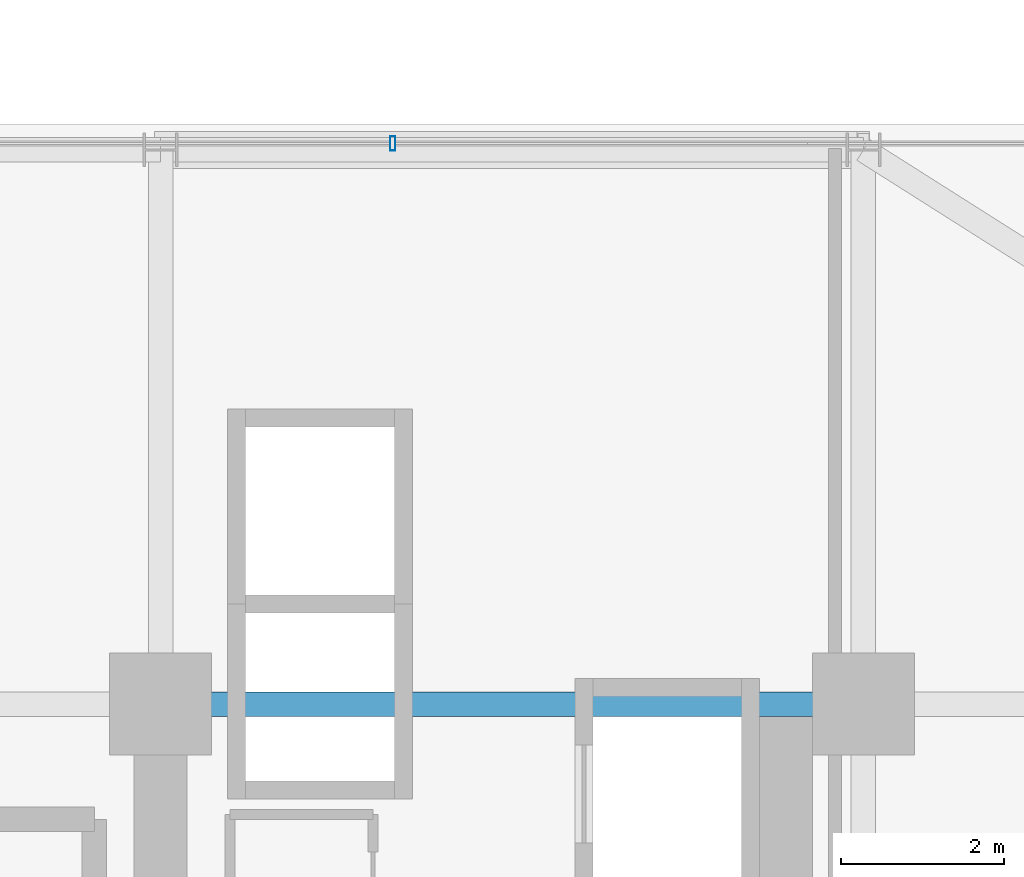
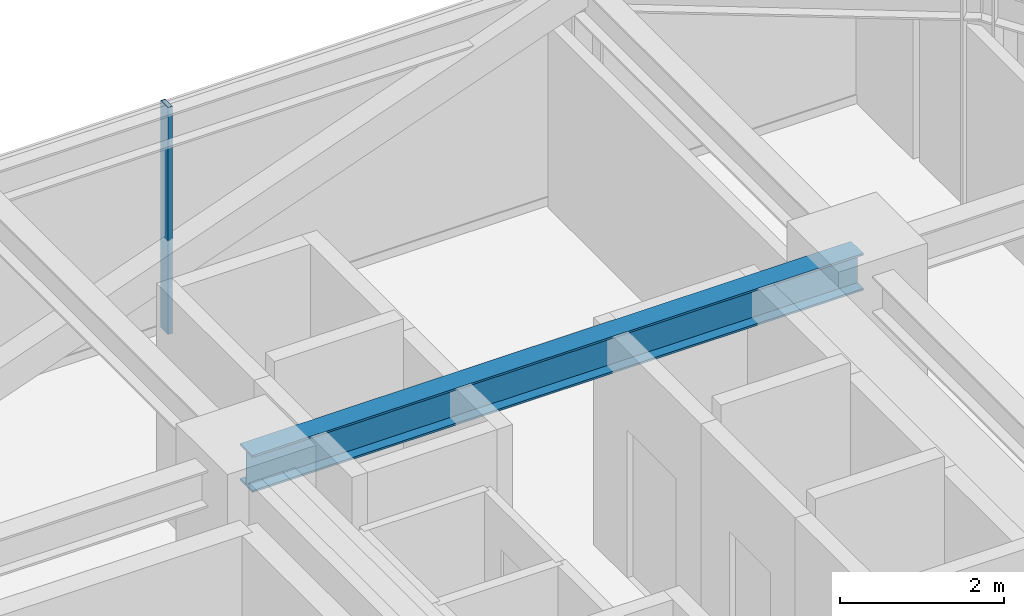
# One storey, part 23 of 35: 1 beam, 1 member, 1 element without a shape of its own.
"""IFC4 building model written with IfcOpenShell, lengths in metres."""

from ifc_helpers import new_model, si_unit, direction, frame, origin, origin_2d, place, context, subcontext, project, spatial, hollow_rectangle, i_section, extrude, source, transform, mapped, material, material_profile, profile_set, type_object, element, aggregate, save


model = new_model("IFC4")

# Units and contexts
model_context = context("Model", 3, precision=1e-05, world=origin(), true_north=direction((0.0, 1.0)))
body_context = subcontext(model_context, "Body", "Model", "MODEL_VIEW")
ifc_project = project(units=[si_unit("LENGTHUNIT", "METRE"), si_unit("AREAUNIT", "SQUARE_METRE"), si_unit("VOLUMEUNIT", "CUBIC_METRE"), si_unit("PLANEANGLEUNIT", "RADIAN"), si_unit("MASSUNIT", "GRAM", prefix="KILO")], contexts=[model_context])

# Site, building, storey
site_placement = place(None, origin())
site = spatial("IfcSite", under=ifc_project, at=site_placement, CompositionType="ELEMENT")
building_placement = place(site_placement, origin())
building = spatial("IfcBuilding", under=site, at=building_placement, Name="Nahalor Promenade Grand Hotel", CompositionType="ELEMENT")
storey_placement = place(building_placement, frame((0.0, 0.0, 106.550048828125)))
storey = spatial("IfcBuildingStorey", under=building, at=storey_placement, Name="L26", CompositionType="ELEMENT", Elevation=106.550048828125)

# Beam
ifc_material_1 = material(Name="Steel S355JR", Category="steel")
ifc_material_profile_1 = material_profile(ifc_material_1, i_section(OverallWidth=0.3, OverallDepth=0.55, WebThickness=0.015, FlangeThickness=0.029, at=origin_2d()), Name="HEB 550")
ifc_profile_set_1 = profile_set([ifc_material_profile_1], Name="Steel S355JR")
beam_type = type_object("IfcBeamType", Name="Beam-Girder-HEB550", PredefinedType="BEAM", material=ifc_profile_set_1)
shared_shape_1 = source(origin(), body_context, "Body", "SweptSolid", [
    extrude(i_section(OverallWidth=0.3, OverallDepth=0.55, WebThickness=0.015, FlangeThickness=0.029, at=origin_2d()), origin(), (0.0, 0.0, 1.0), 8.60009765625),
])
beam_placement = place(storey_placement, frame((8.39990234375, 17.0, 3.10498046875), z_axis=(1.0, 0.0, 0.0), x_axis=(0.0, 1.0, 0.0)))
element("IfcBeam", 1, at=beam_placement, inside=storey, type_object=beam_type, Name="BM-L26-GX-3-5", PredefinedType="BEAM", context=body_context, shape_type="MappedRepresentation", body=[
    mapped(shared_shape_1, transform((0.0, 0.0, 0.0), scale=1.0)),
])

# Curtain wall, member
ifc_material_2 = material(Name="Anodised Bronze Aluminium EN AW-6063 T6", Category="aluminium")
curtain_wall_type = type_object("IfcCurtainWallType", Name="CW2 Typical Hotel Flush Bronze Unitised Curtain Wall", PredefinedType="USERDEFINED", material=ifc_material_2)
curtain_wall_placement = place(storey_placement, origin())
curtain_wall = element("IfcCurtainWall", 2, at=curtain_wall_placement, inside=storey, type_object=curtain_wall_type, Name="L26 Curtain Wall CW-L26-N-3", ObjectType="UNITISED_CURTAIN_WALL", PredefinedType="USERDEFINED")
ifc_material_profile_2 = material_profile(ifc_material_2, hollow_rectangle(XDim=0.065, YDim=0.18, WallThickness=0.004, at=origin_2d()), Name="CWM 65x180x4")
ifc_profile_set_2 = profile_set([ifc_material_profile_2], Name="Anodised Bronze Aluminium EN AW-6063 T6")
member_type = type_object("IfcMemberType", Name="CWM2 Typical Bronze Mullion 65x180", PredefinedType="MULLION", material=ifc_profile_set_2)
shared_shape_2 = source(origin(), body_context, "Body", "SweptSolid", [
    extrude(hollow_rectangle(XDim=0.065, YDim=0.18, WallThickness=0.004, at=origin_2d()), origin(), (0.0, 0.0, 1.0), 3.3798828125),
])
member_placement = place(storey_placement, frame((11.239990234375, 23.860107421875, 0.0), z_axis=(0.0, 0.0, 1.0), x_axis=(1.0, 0.0, 0.0)))
member = element("IfcMember", 3, at=member_placement, type_object=member_type, Name="CW-L26-N-3 Mullion 2", PredefinedType="MULLION", context=body_context, shape_type="MappedRepresentation", body=[
    mapped(shared_shape_2, transform((0.0, 0.0, 0.0), scale=1.0)),
])
aggregate(curtain_wall, [member])

save(model, "model.ifc")
